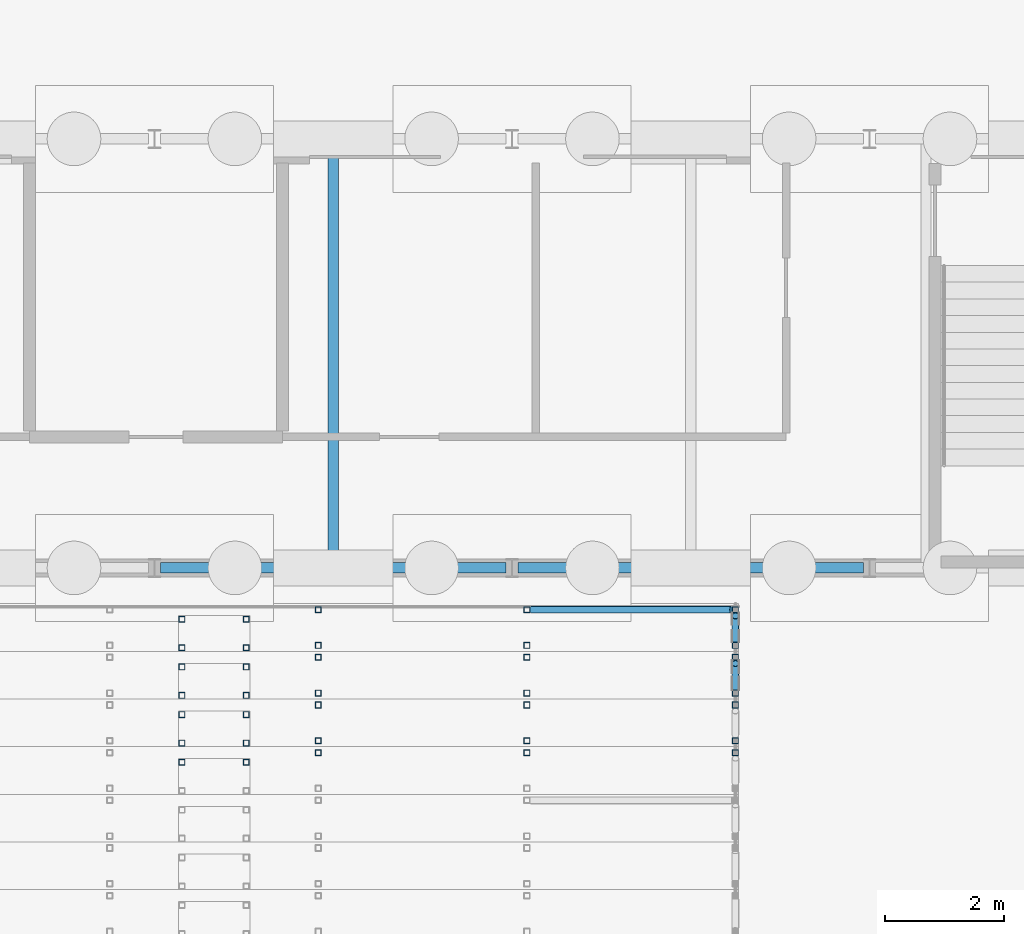
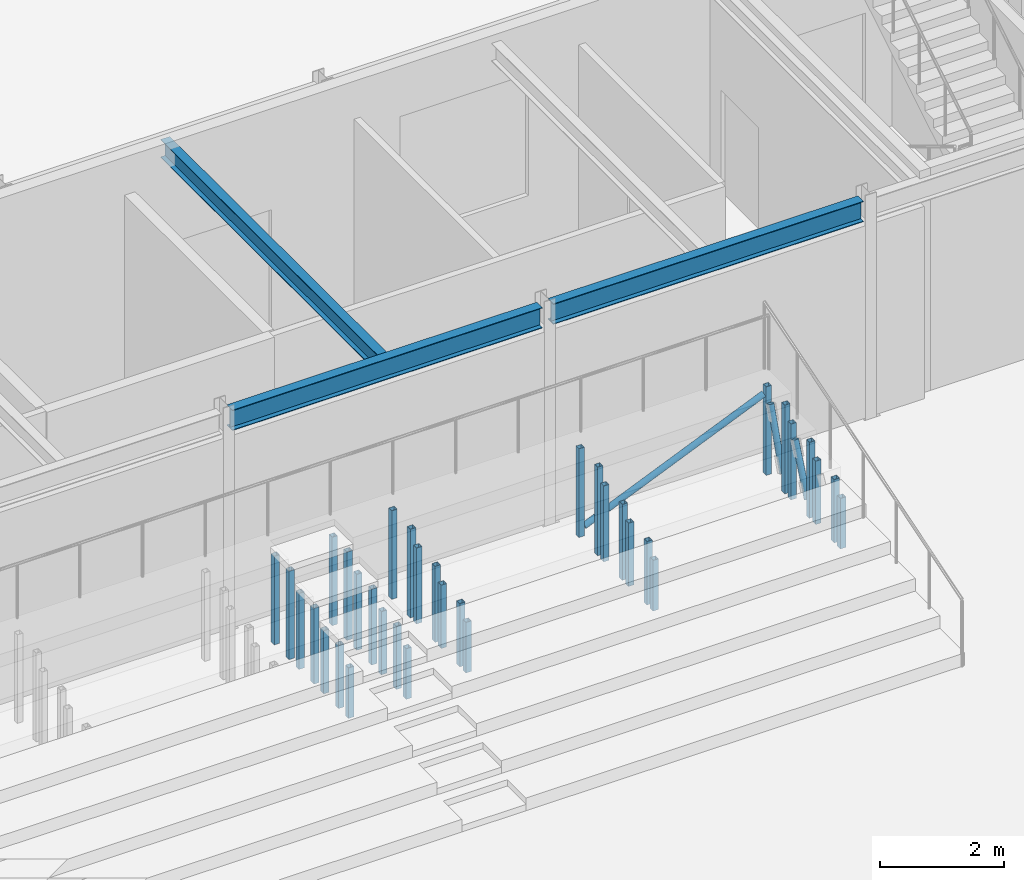
# One storey, part 36 of 139: 38 members, 3 beams.
"""IFC4 building model written with IfcOpenShell, lengths in metres."""

from ifc_helpers import new_model, si_unit, direction, frame, origin, origin_2d, place, context, subcontext, project, spatial, hollow_rectangle, hollow_circle, i_section, extrude, material, material_profile, profile_set, type_object, element, save


model = new_model("IFC4")

# Units and contexts
model_context = context("Model", 3, precision=1e-05, world=origin(), true_north=direction((0.0, 1.0)))
body_context = subcontext(model_context, "Body", "Model", "MODEL_VIEW")
ifc_project = project(units=[si_unit("LENGTHUNIT", "METRE"), si_unit("AREAUNIT", "SQUARE_METRE"), si_unit("VOLUMEUNIT", "CUBIC_METRE"), si_unit("PLANEANGLEUNIT", "RADIAN"), si_unit("MASSUNIT", "GRAM", prefix="KILO")], contexts=[model_context])

# Site, building, storey
site_placement = place(None, origin())
site = spatial("IfcSite", under=ifc_project, at=site_placement, CompositionType="ELEMENT")
building_placement = place(site_placement, origin())
building = spatial("IfcBuilding", under=site, at=building_placement, Name="Verrick Yard Athletic Hall", CompositionType="ELEMENT")
storey_placement = place(building_placement, origin())
storey = spatial("IfcBuildingStorey", under=building, at=storey_placement, Name="L00", CompositionType="ELEMENT", Elevation=0.0)

# Beams
ifc_material_1 = material(Name="Structural steel 350W (CSA G40.21)", Category="steel")
ifc_material_profile_1 = material_profile(ifc_material_1, i_section(OverallWidth=0.177978515625, OverallDepth=0.406982421875, WebThickness=0.0078125, FlangeThickness=0.0126953125, at=origin_2d()), Name="W410x60")
ifc_profile_set_1 = profile_set([ifc_material_profile_1], Name="Structural steel 350W (CSA G40.21)")
beam_type_1 = type_object("IfcBeamType", Name="HB girder W410x60", PredefinedType="BEAM", material=ifc_profile_set_1)
for number, where, z_axis, x_axis, name in (
    (1, (58.1025390625, 100.800048828125, 4.04638671875), (1.0, 0.0, 0.0), (0.0, 1.0, 0.0), "HB-GB-B-L01-S6"),
    (2, (64.1025390625, 100.800048828125, 4.04638671875), (1.0, 0.0, 0.0), (0.0, 1.0, 0.0), "HB-GB-B-L01-S7"),
):
    element("IfcBeam", number, at=place(storey_placement, frame(where, z_axis=z_axis, x_axis=x_axis)), inside=storey, type_object=beam_type_1, Name=name, PredefinedType="BEAM", context=body_context, shape_type="SweptSolid", body=[
        extrude(i_section(OverallWidth=0.177978515625, OverallDepth=0.406982421875, WebThickness=0.0078125, FlangeThickness=0.0126953125, at=origin_2d()), origin(), (0.0, 0.0, 1.0), 5.794921875),
    ])

# Members
ifc_material_2 = material(Name="Structural steel HSS Class C 350W (CSA G40.20/G40.21)", Category="steel")
ifc_material_profile_2 = material_profile(ifc_material_2, hollow_circle(Radius=0.05712890625, WallThickness=0.00634765625, at=origin_2d()), Name="HSS114x6.4")
ifc_profile_set_2 = profile_set([ifc_material_profile_2], Name="Structural steel HSS Class C 350W (CSA G40.20/G40.21)")
member_type_1 = type_object("IfcMemberType", Name="HB roof brace HSS114x6.4", PredefinedType="BRACE", material=ifc_profile_set_2)
member_1_placement = place(storey_placement, frame((67.749267578125, 98.803466796875, 0.277099609375), z_axis=(0.0, 0.383768953832, 0.923429147295), x_axis=(-1.0, 0.0, 0.0)))
element("IfcMember", 3, at=member_1_placement, inside=storey, type_object=member_type_1, Name="HB-BRS-RSB1-z7", PredefinedType="BRACE", context=body_context, shape_type="SweptSolid", body=[
    extrude(hollow_circle(Radius=0.05712890625, WallThickness=0.00634765625, at=origin_2d()), origin(), (0.0, 0.0, 1.0), 1.024169921875),
])
member_2_placement = place(storey_placement, frame((67.749267578125, 99.604736328125, 0.30712890625), z_axis=(0.0, 0.325057042805, 0.945694410961), x_axis=(-1.0, 0.0, 0.0)))
element("IfcMember", 4, at=member_2_placement, inside=storey, type_object=member_type_1, Name="HB-BRS-RSB1-z8", PredefinedType="BRACE", context=body_context, shape_type="SweptSolid", body=[
    extrude(hollow_circle(Radius=0.05712890625, WallThickness=0.00634765625, at=origin_2d()), origin(), (0.0, 0.0, 1.0), 1.200927734375),
])
member_3_placement = place(storey_placement, frame((64.322509765625, 100.10009765625, 0.15966796875), z_axis=(0.919794925456, 0.0, 0.392399407627), x_axis=(0.0, 1.0, 0.0)))
element("IfcMember", 5, at=member_3_placement, inside=storey, type_object=member_type_1, Name="HB-BRL-RSB1-z8", PredefinedType="BRACE", context=body_context, shape_type="SweptSolid", body=[
    extrude(hollow_circle(Radius=0.05712890625, WallThickness=0.00634765625, at=origin_2d()), origin(), (0.0, 0.0, 1.0), 3.64599609375),
])
ifc_material_profile_3 = material_profile(ifc_material_2, hollow_rectangle(XDim=0.1015625, YDim=0.1015625, WallThickness=0.00634765625, at=origin_2d()), Name="HSS102x102x6.4")
ifc_profile_set_3 = profile_set([ifc_material_profile_3], Name="Structural steel HSS Class C 350W (CSA G40.20/G40.21)")
member_type_2 = type_object("IfcMemberType", Name="HB seating post HSS102x102x6.4", PredefinedType="POST", material=ifc_profile_set_3)
for number, where, z_axis, x_axis, name in (
    (6, (58.459716796875, 97.5400390625, 0.0), (0.0, 0.0, 1.0), (0.0, 1.0, 0.0), "HB-SP-RSB1-A2S5c"),
    (7, (59.53955078125, 97.5400390625, 0.0), (0.0, 0.0, 1.0), (0.0, 1.0, 0.0), "HB-SP-RSB1-A2S5d"),
    (8, (60.74951171875, 97.699951171875, 0.0), (0.0, 0.0, 1.0), (0.0, 1.0, 0.0), "HB-SP-RSB1-T5b8"),
    (9, (64.249267578125, 97.699951171875, 0.0), (0.0, 0.0, 1.0), (0.0, 1.0, 0.0), "HB-SP-RSB1-T5b9"),
    (10, (67.749267578125, 97.699951171875, 0.0), (0.0, 0.0, 1.0), (0.0, 1.0, 0.0), "HB-SP-RSB1-T5b10"),
):
    element("IfcMember", number, at=place(storey_placement, frame(where, z_axis=z_axis, x_axis=x_axis)), inside=storey, type_object=member_type_2, Name=name, PredefinedType="POST", context=body_context, shape_type="SweptSolid", body=[
        extrude(hollow_rectangle(XDim=0.1015625, YDim=0.1015625, WallThickness=0.00634765625, at=origin_2d()), origin(), (0.0, 0.0, 1.0), 1.0),
    ])
for number, where, z_axis, x_axis, name in (
    (11, (58.459716796875, 97.860107421875, 0.0), (0.0, 0.0, 1.0), (0.0, 1.0, 0.0), "HB-SP-RSB1-A2S6a"),
    (12, (59.53955078125, 97.860107421875, 0.0), (0.0, 0.0, 1.0), (0.0, 1.0, 0.0), "HB-SP-RSB1-A2S6b"),
    (13, (58.459716796875, 98.340087890625, 0.0), (0.0, 0.0, 1.0), (0.0, 1.0, 0.0), "HB-SP-RSB1-A2S6c"),
    (14, (59.53955078125, 98.340087890625, 0.0), (0.0, 0.0, 1.0), (0.0, 1.0, 0.0), "HB-SP-RSB1-A2S6d"),
    (15, (60.74951171875, 97.89990234375, 0.0), (0.0, 0.0, 1.0), (0.0, 1.0, 0.0), "HB-SP-RSB1-T6f8"),
    (16, (64.249267578125, 97.89990234375, 0.0), (0.0, 0.0, 1.0), (0.0, 1.0, 0.0), "HB-SP-RSB1-T6f9"),
    (17, (67.749267578125, 97.89990234375, 0.0), (0.0, 0.0, 1.0), (0.0, 1.0, 0.0), "HB-SP-RSB1-T6f10"),
    (18, (60.74951171875, 98.5, 0.0), (0.0, 0.0, 1.0), (0.0, 1.0, 0.0), "HB-SP-RSB1-T6b8"),
    (19, (64.249267578125, 98.5, 0.0), (0.0, 0.0, 1.0), (0.0, 1.0, 0.0), "HB-SP-RSB1-T6b9"),
    (20, (67.749267578125, 98.5, 0.0), (0.0, 0.0, 1.0), (0.0, 1.0, 0.0), "HB-SP-RSB1-T6b10"),
):
    element("IfcMember", number, at=place(storey_placement, frame(where, z_axis=z_axis, x_axis=x_axis)), inside=storey, type_object=member_type_2, Name=name, PredefinedType="POST", context=body_context, shape_type="SweptSolid", body=[
        extrude(hollow_rectangle(XDim=0.1015625, YDim=0.1015625, WallThickness=0.00634765625, at=origin_2d()), origin(), (0.0, 0.0, 1.0), 1.25),
    ])
for number, where, z_axis, x_axis, name in (
    (21, (58.459716796875, 98.659912109375, 0.0), (0.0, 0.0, 1.0), (0.0, 1.0, 0.0), "HB-SP-RSB1-A2S7a"),
    (22, (59.53955078125, 98.659912109375, 0.0), (0.0, 0.0, 1.0), (0.0, 1.0, 0.0), "HB-SP-RSB1-A2S7b"),
    (23, (58.459716796875, 99.139892578125, 0.0), (0.0, 0.0, 1.0), (0.0, 1.0, 0.0), "HB-SP-RSB1-A2S7c"),
    (24, (59.53955078125, 99.139892578125, 0.0), (0.0, 0.0, 1.0), (0.0, 1.0, 0.0), "HB-SP-RSB1-A2S7d"),
    (25, (60.74951171875, 98.699951171875, 0.0), (0.0, 0.0, 1.0), (0.0, 1.0, 0.0), "HB-SP-RSB1-T7f8"),
    (26, (64.249267578125, 98.699951171875, 0.0), (0.0, 0.0, 1.0), (0.0, 1.0, 0.0), "HB-SP-RSB1-T7f9"),
    (27, (67.749267578125, 98.699951171875, 0.0), (0.0, 0.0, 1.0), (0.0, 1.0, 0.0), "HB-SP-RSB1-T7f10"),
    (28, (60.74951171875, 99.300048828125, 0.0), (0.0, 0.0, 1.0), (0.0, 1.0, 0.0), "HB-SP-RSB1-T7b8"),
    (29, (64.249267578125, 99.300048828125, 0.0), (0.0, 0.0, 1.0), (0.0, 1.0, 0.0), "HB-SP-RSB1-T7b9"),
    (30, (67.749267578125, 99.300048828125, 0.0), (0.0, 0.0, 1.0), (0.0, 1.0, 0.0), "HB-SP-RSB1-T7b10"),
):
    element("IfcMember", number, at=place(storey_placement, frame(where, z_axis=z_axis, x_axis=x_axis)), inside=storey, type_object=member_type_2, Name=name, PredefinedType="POST", context=body_context, shape_type="SweptSolid", body=[
        extrude(hollow_rectangle(XDim=0.1015625, YDim=0.1015625, WallThickness=0.00634765625, at=origin_2d()), origin(), (0.0, 0.0, 1.0), 1.5),
    ])
for number, where, z_axis, x_axis, name in (
    (31, (58.459716796875, 99.4599609375, 0.0), (0.0, 0.0, 1.0), (0.0, 1.0, 0.0), "HB-SP-RSB1-A2S8a"),
    (32, (59.53955078125, 99.4599609375, 0.0), (0.0, 0.0, 1.0), (0.0, 1.0, 0.0), "HB-SP-RSB1-A2S8b"),
    (33, (58.459716796875, 99.93994140625, 0.0), (0.0, 0.0, 1.0), (0.0, 1.0, 0.0), "HB-SP-RSB1-A2S8c"),
    (34, (59.53955078125, 99.93994140625, 0.0), (0.0, 0.0, 1.0), (0.0, 1.0, 0.0), "HB-SP-RSB1-A2S8d"),
    (35, (60.74951171875, 99.5, 0.0), (0.0, 0.0, 1.0), (0.0, 1.0, 0.0), "HB-SP-RSB1-T8f8"),
    (36, (64.249267578125, 99.5, 0.0), (0.0, 0.0, 1.0), (0.0, 1.0, 0.0), "HB-SP-RSB1-T8f9"),
    (37, (67.749267578125, 99.5, 0.0), (0.0, 0.0, 1.0), (0.0, 1.0, 0.0), "HB-SP-RSB1-T8f10"),
    (38, (60.74951171875, 100.10009765625, 0.0), (0.0, 0.0, 1.0), (0.0, 1.0, 0.0), "HB-SP-RSB1-T8b8"),
    (39, (64.249267578125, 100.10009765625, 0.0), (0.0, 0.0, 1.0), (0.0, 1.0, 0.0), "HB-SP-RSB1-T8b9"),
    (40, (67.749267578125, 100.10009765625, 0.0), (0.0, 0.0, 1.0), (0.0, 1.0, 0.0), "HB-SP-RSB1-T8b10"),
):
    element("IfcMember", number, at=place(storey_placement, frame(where, z_axis=z_axis, x_axis=x_axis)), inside=storey, type_object=member_type_2, Name=name, PredefinedType="POST", context=body_context, shape_type="SweptSolid", body=[
        extrude(hollow_rectangle(XDim=0.1015625, YDim=0.1015625, WallThickness=0.00634765625, at=origin_2d()), origin(), (0.0, 0.0, 1.0), 1.75),
    ])

# Beam
ifc_material_profile_4 = material_profile(ifc_material_1, i_section(OverallWidth=0.1708984375, OverallDepth=0.35498046875, WebThickness=0.007080078125, FlangeThickness=0.01171875, at=origin_2d()), Name="W360x51")
ifc_profile_set_4 = profile_set([ifc_material_profile_4], Name="Structural steel 350W (CSA G40.21)")
beam_type_2 = type_object("IfcBeamType", Name="HB secondary beam W360x51", PredefinedType="JOIST", material=ifc_profile_set_4)
beam_placement = place(storey_placement, frame((61.0, 100.888916015625, 4.072509765625), z_axis=(0.0, 1.0, 0.0), x_axis=(-1.0, 0.0, 0.0)))
element("IfcBeam", 41, at=beam_placement, inside=storey, type_object=beam_type_2, Name="HB-SB-B-L01-6", PredefinedType="JOIST", context=body_context, shape_type="SweptSolid", body=[
    extrude(i_section(OverallWidth=0.1708984375, OverallDepth=0.35498046875, WebThickness=0.007080078125, FlangeThickness=0.01171875, at=origin_2d()), origin(), (0.0, 0.0, 1.0), 7.02197265625),
])

save(model, "model.ifc")
